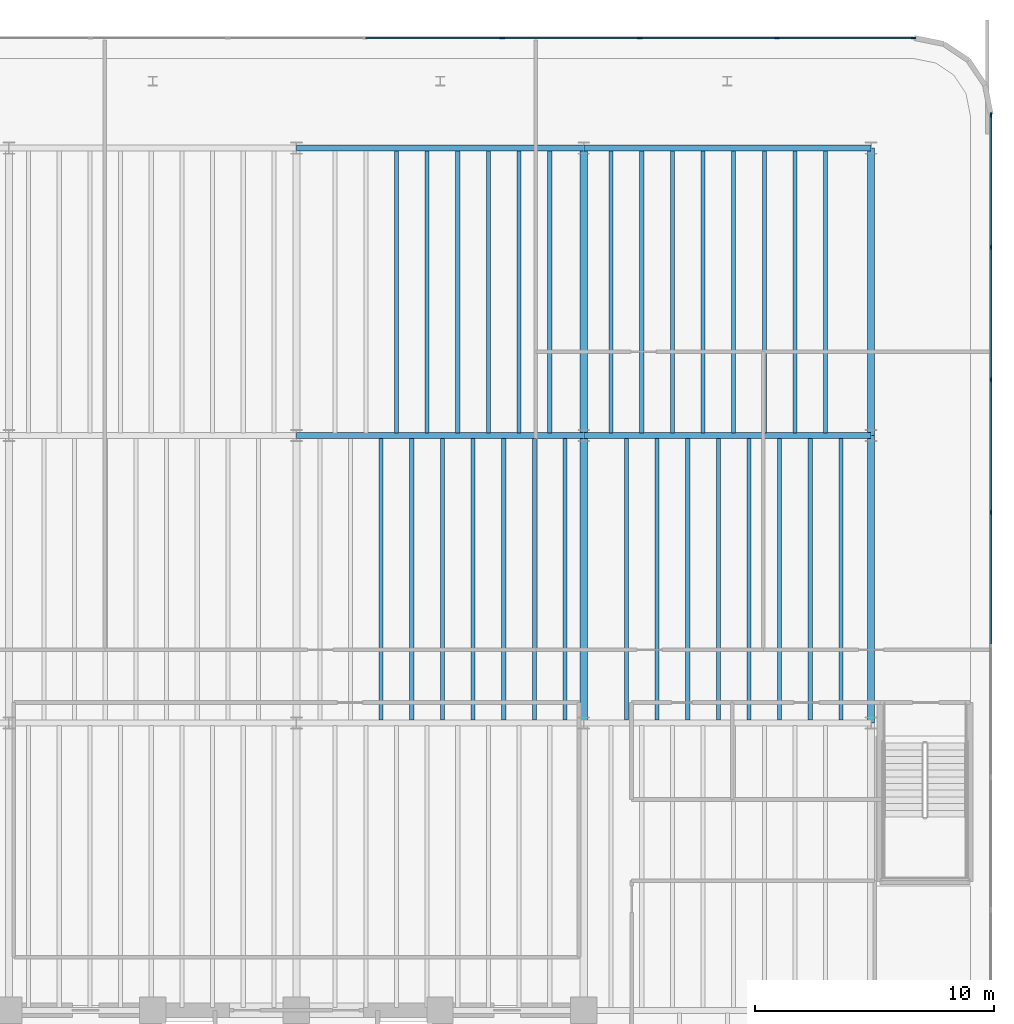
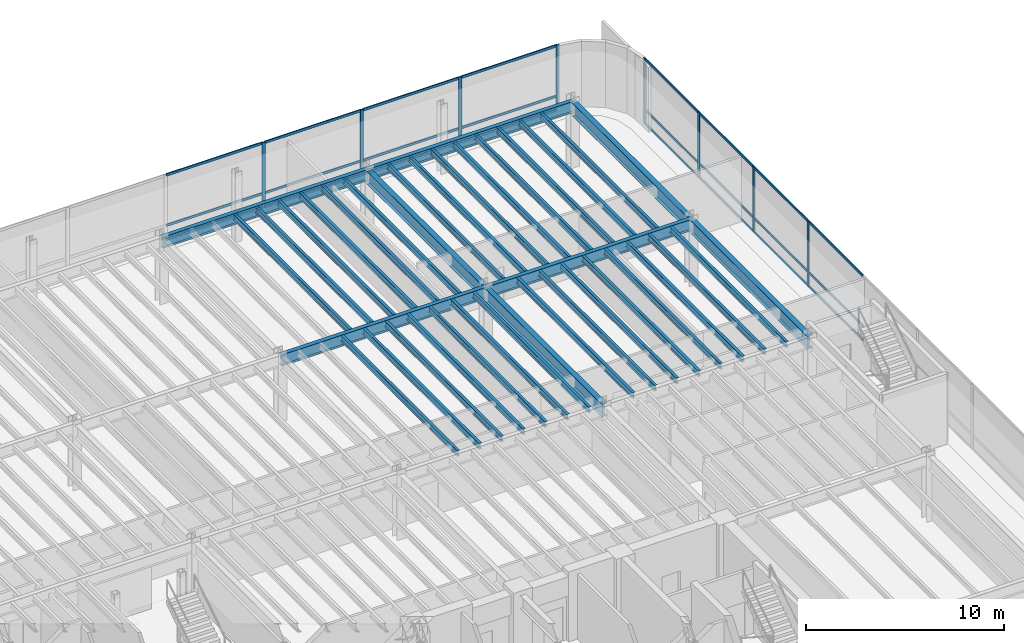
# One storey, part 10 of 19: 37 beams, 32 members, 2 elements without a shape of their own.
"""IFC4 building model written with IfcOpenShell, lengths in metres."""

from ifc_helpers import new_model, si_unit, direction, frame, origin, origin_2d, place, context, subcontext, project, spatial, rectangle, i_section, extrude, source, transform, mapped, material, layer, layer_set, material_profile, profile_set, type_object, element, aggregate, save


model = new_model("IFC4")

# Units and contexts
model_context = context("Model", 3, precision=1e-05, world=origin(), true_north=direction((0.0, 1.0)))
body_context = subcontext(model_context, "Body", "Model", "MODEL_VIEW")
ifc_project = project(units=[si_unit("LENGTHUNIT", "METRE"), si_unit("AREAUNIT", "SQUARE_METRE"), si_unit("VOLUMEUNIT", "CUBIC_METRE"), si_unit("PLANEANGLEUNIT", "RADIAN"), si_unit("MASSUNIT", "GRAM", prefix="KILO")], contexts=[model_context])

# Site, building, storey
site_placement = place(None, origin())
site = spatial("IfcSite", under=ifc_project, at=site_placement, CompositionType="ELEMENT")
building_placement = place(site_placement, origin())
building = spatial("IfcBuilding", under=site, at=building_placement, Name="Brelvock Crest Care Tower", CompositionType="ELEMENT")
storey_placement = place(building_placement, frame((0.0, 0.0, 14.0400390625)))
storey = spatial("IfcBuildingStorey", under=building, at=storey_placement, Name="L03", CompositionType="ELEMENT", Elevation=14.0400390625)

# Beams
ifc_material_1 = material(Name="Steel Grade 350", Category="steel")
ifc_material_profile_1 = material_profile(ifc_material_1, i_section(OverallWidth=0.300048828125, OverallDepth=0.800048828125, WebThickness=0.013916015625, FlangeThickness=0.02197265625, at=origin_2d()), Name="800WB192")
ifc_profile_set_1 = profile_set([ifc_material_profile_1], Name="Steel Grade 350")
beam_type_1 = type_object("IfcBeamType", Name="BM-G5", PredefinedType="BEAM", material=ifc_profile_set_1)
shared_shape_1 = source(origin(), body_context, "Body", "SweptSolid", [
    extrude(i_section(OverallWidth=0.300048828125, OverallDepth=0.800048828125, WebThickness=0.013916015625, FlangeThickness=0.02197265625, at=origin_2d()), origin(), (0.0, 0.0, 1.0), 12.0),
])
for number, where, z_axis, x_axis, name in (
    (1, (48.0, 30.0, 3.639892578125), (0.0, 1.0, 0.0), (-1.0, 0.0, 0.0), "BM-PODY-L03-48-30"),
    (2, (48.0, 42.0, 3.639892578125), (0.0, 1.0, 0.0), (-1.0, 0.0, 0.0), "BM-PODY-L03-48-42"),
    (3, (60.0, 30.0, 3.639892578125), (0.0, 1.0, 0.0), (-1.0, 0.0, 0.0), "BM-PODY-L03-60-30"),
    (4, (60.0, 42.0, 3.639892578125), (0.0, 1.0, 0.0), (-1.0, 0.0, 0.0), "BM-PODY-L03-60-42"),
):
    element("IfcBeam", number, at=place(storey_placement, frame(where, z_axis=z_axis, x_axis=x_axis)), inside=storey, type_object=beam_type_1, Name=name, PredefinedType="BEAM", context=body_context, shape_type="MappedRepresentation", body=[
        mapped(shared_shape_1, transform((0.0, 0.0, 0.0), x_axis=(1.0, 0.0, 0.0), y_axis=(0.0, 1.0, 0.0), z_axis=(0.0, 0.0, 1.0), scale=1.0)),
    ])
ifc_material_profile_2 = material_profile(ifc_material_1, i_section(OverallWidth=0.172119140625, OverallDepth=0.35888671875, WebThickness=0.008056640625, FlangeThickness=0.012939453125, FilletRadius=0.011474609375, at=origin_2d()), Name="360UB56.7")
ifc_profile_set_2 = profile_set([ifc_material_profile_2], Name="Steel Grade 350")
beam_type_2 = type_object("IfcBeamType", Name="BM-J1", PredefinedType="JOIST", material=ifc_profile_set_2)
shared_shape_2 = source(origin(), body_context, "Body", "SweptSolid", [
    extrude(i_section(OverallWidth=0.172119140625, OverallDepth=0.35888671875, WebThickness=0.008056640625, FlangeThickness=0.012939453125, FilletRadius=0.011474609375, at=origin_2d()), origin(), (0.0, 0.0, 1.0), 11.77001953125),
])
for number, where, z_axis, x_axis, name in (
    (5, (39.5400390625, 30.114990234375, 3.8603515625), (0.0, 1.0, 0.0), (-1.0, 0.0, 0.0), "BM-PODJ-L03-3954-30"),
    (6, (40.820068359375, 30.114990234375, 3.8603515625), (0.0, 1.0, 0.0), (-1.0, 0.0, 0.0), "BM-PODJ-L03-4082-30"),
    (7, (40.179931640625, 42.114990234375, 3.8603515625), (0.0, 1.0, 0.0), (-1.0, 0.0, 0.0), "BM-PODJ-L03-4018-42"),
    (8, (42.10009765625, 30.114990234375, 3.8603515625), (0.0, 1.0, 0.0), (-1.0, 0.0, 0.0), "BM-PODJ-L03-4210-30"),
    (9, (41.4599609375, 42.114990234375, 3.8603515625), (0.0, 1.0, 0.0), (-1.0, 0.0, 0.0), "BM-PODJ-L03-4146-42"),
    (10, (43.3798828125, 30.114990234375, 3.8603515625), (0.0, 1.0, 0.0), (-1.0, 0.0, 0.0), "BM-PODJ-L03-4338-30"),
    (11, (42.739990234375, 42.114990234375, 3.8603515625), (0.0, 1.0, 0.0), (-1.0, 0.0, 0.0), "BM-PODJ-L03-4274-42"),
    (12, (44.659912109375, 30.114990234375, 3.8603515625), (0.0, 1.0, 0.0), (-1.0, 0.0, 0.0), "BM-PODJ-L03-4466-30"),
    (13, (44.02001953125, 42.114990234375, 3.8603515625), (0.0, 1.0, 0.0), (-1.0, 0.0, 0.0), "BM-PODJ-L03-4402-42"),
    (14, (45.93994140625, 30.114990234375, 3.8603515625), (0.0, 1.0, 0.0), (-1.0, 0.0, 0.0), "BM-PODJ-L03-4594-30"),
    (15, (45.300048828125, 42.114990234375, 3.8603515625), (0.0, 1.0, 0.0), (-1.0, 0.0, 0.0), "BM-PODJ-L03-4530-42"),
    (16, (47.219970703125, 30.114990234375, 3.8603515625), (0.0, 1.0, 0.0), (-1.0, 0.0, 0.0), "BM-PODJ-L03-4722-30"),
    (17, (46.580078125, 42.114990234375, 3.8603515625), (0.0, 1.0, 0.0), (-1.0, 0.0, 0.0), "BM-PODJ-L03-4658-42"),
    (18, (49.780029296875, 30.114990234375, 3.8603515625), (0.0, 1.0, 0.0), (-1.0, 0.0, 0.0), "BM-PODJ-L03-4978-30"),
    (19, (49.139892578125, 42.114990234375, 3.8603515625), (0.0, 1.0, 0.0), (-1.0, 0.0, 0.0), "BM-PODJ-L03-4914-42"),
    (20, (51.06005859375, 30.114990234375, 3.8603515625), (0.0, 1.0, 0.0), (-1.0, 0.0, 0.0), "BM-PODJ-L03-5106-30"),
    (21, (50.419921875, 42.114990234375, 3.8603515625), (0.0, 1.0, 0.0), (-1.0, 0.0, 0.0), "BM-PODJ-L03-5042-42"),
    (22, (52.340087890625, 30.114990234375, 3.8603515625), (0.0, 1.0, 0.0), (-1.0, 0.0, 0.0), "BM-PODJ-L03-5234-30"),
    (23, (51.699951171875, 42.114990234375, 3.8603515625), (0.0, 1.0, 0.0), (-1.0, 0.0, 0.0), "BM-PODJ-L03-5170-42"),
    (24, (53.6201171875, 30.114990234375, 3.8603515625), (0.0, 1.0, 0.0), (-1.0, 0.0, 0.0), "BM-PODJ-L03-5362-30"),
    (25, (52.97998046875, 42.114990234375, 3.8603515625), (0.0, 1.0, 0.0), (-1.0, 0.0, 0.0), "BM-PODJ-L03-5298-42"),
    (26, (54.89990234375, 30.114990234375, 3.8603515625), (0.0, 1.0, 0.0), (-1.0, 0.0, 0.0), "BM-PODJ-L03-5490-30"),
    (27, (54.260009765625, 42.114990234375, 3.8603515625), (0.0, 1.0, 0.0), (-1.0, 0.0, 0.0), "BM-PODJ-L03-5426-42"),
    (28, (56.179931640625, 30.114990234375, 3.8603515625), (0.0, 1.0, 0.0), (-1.0, 0.0, 0.0), "BM-PODJ-L03-5618-30"),
    (29, (55.5400390625, 42.114990234375, 3.8603515625), (0.0, 1.0, 0.0), (-1.0, 0.0, 0.0), "BM-PODJ-L03-5554-42"),
    (30, (57.4599609375, 30.114990234375, 3.8603515625), (0.0, 1.0, 0.0), (-1.0, 0.0, 0.0), "BM-PODJ-L03-5746-30"),
    (31, (56.820068359375, 42.114990234375, 3.8603515625), (0.0, 1.0, 0.0), (-1.0, 0.0, 0.0), "BM-PODJ-L03-5682-42"),
    (32, (58.739990234375, 30.114990234375, 3.8603515625), (0.0, 1.0, 0.0), (-1.0, 0.0, 0.0), "BM-PODJ-L03-5874-30"),
    (33, (58.10009765625, 42.114990234375, 3.8603515625), (0.0, 1.0, 0.0), (-1.0, 0.0, 0.0), "BM-PODJ-L03-5810-42"),
):
    element("IfcBeam", number, at=place(storey_placement, frame(where, z_axis=z_axis, x_axis=x_axis)), inside=storey, type_object=beam_type_2, Name=name, PredefinedType="JOIST", context=body_context, shape_type="MappedRepresentation", body=[
        mapped(shared_shape_2, transform((0.0, 0.0, 0.0), x_axis=(1.0, 0.0, 0.0), y_axis=(0.0, 1.0, 0.0), z_axis=(0.0, 0.0, 1.0), scale=1.0)),
    ])
ifc_material_profile_3 = material_profile(ifc_material_1, i_section(OverallWidth=0.25, OverallDepth=0.699951171875, WebThickness=0.011962890625, FlangeThickness=0.02001953125, at=origin_2d()), Name="700WB150")
ifc_profile_set_3 = profile_set([ifc_material_profile_3], Name="Steel Grade 350")
beam_type_3 = type_object("IfcBeamType", Name="BM-G4", PredefinedType="BEAM", material=ifc_profile_set_3)
shared_shape_3 = source(origin(), body_context, "Body", "SweptSolid", [
    extrude(i_section(OverallWidth=0.25, OverallDepth=0.699951171875, WebThickness=0.011962890625, FlangeThickness=0.02001953125, at=origin_2d()), origin(), (0.0, 0.0, 1.0), 12.0),
])
for number, where, z_axis, x_axis, name in (
    (34, (36.0, 42.0, 3.68994140625), (1.0, 0.0, 0.0), (0.0, 1.0, 0.0), "BM-PODX-L03-42-36"),
    (35, (48.0, 42.0, 3.68994140625), (1.0, 0.0, 0.0), (0.0, 1.0, 0.0), "BM-PODX-L03-42-48"),
    (36, (36.0, 54.0, 3.68994140625), (1.0, 0.0, 0.0), (0.0, 1.0, 0.0), "BM-PODX-L03-54-36"),
    (37, (48.0, 54.0, 3.68994140625), (1.0, 0.0, 0.0), (0.0, 1.0, 0.0), "BM-PODX-L03-54-48"),
):
    element("IfcBeam", number, at=place(storey_placement, frame(where, z_axis=z_axis, x_axis=x_axis)), inside=storey, type_object=beam_type_3, Name=name, PredefinedType="BEAM", context=body_context, shape_type="MappedRepresentation", body=[
        mapped(shared_shape_3, transform((0.0, 0.0, 0.0), x_axis=(1.0, 0.0, 0.0), y_axis=(0.0, 1.0, 0.0), z_axis=(0.0, 0.0, 1.0), scale=1.0)),
    ])

# Curtain wall, members
ifc_material_2 = material(Name="Dark Glass Double Glazed Low-E", Category="glass")
ifc_layer = layer(ifc_material_2, 0.179931640625, Name="CWS-1")
ifc_layer_set = layer_set([ifc_layer], Name="Dark Glass Double Glazed Low-E")
curtain_wall_type = type_object("IfcCurtainWallType", Name="CWS-1", PredefinedType="NOTDEFINED", material=ifc_layer_set)
curtain_wall_1_placement = place(storey_placement, origin())
curtain_wall_1 = element("IfcCurtainWall", 38, at=curtain_wall_1_placement, inside=storey, type_object=curtain_wall_type, Name="L03 Curtain Wall E09", PredefinedType="NOTDEFINED")
ifc_material_3 = material(Name="Aluminium 6063-T6", Category="aluminium")
ifc_material_profile_4 = material_profile(ifc_material_3, rectangle(XDim=0.06494140625, YDim=0.199951171875, at=origin_2d()), Name="ALU65x200")
ifc_profile_set_4 = profile_set([ifc_material_profile_4], Name="Aluminium 6063-T6")
member_type_1 = type_object("IfcMemberType", Name="CWM-1", PredefinedType="MULLION", material=ifc_profile_set_4)
shared_shape_4 = source(origin(), body_context, "Body", "SweptSolid", [
    extrude(rectangle(XDim=0.06494140625, YDim=0.199951171875, at=origin_2d()), origin(), (0.0, 0.0, 1.0), 4.0400390625),
])
member_1_placement = place(storey_placement, frame((44.60009765625, 58.60009765625, 0.0), z_axis=(0.0, 0.0, 1.0), x_axis=(0.0, 1.0, 0.0)))
member_1 = element("IfcMember", 39, at=member_1_placement, type_object=member_type_1, Name="CW-1 mullion 7", PredefinedType="MULLION", context=body_context, shape_type="MappedRepresentation", body=[
    mapped(shared_shape_4, transform((0.0, 0.0, 0.0), x_axis=(1.0, 0.0, 0.0), y_axis=(0.0, 1.0, 0.0), z_axis=(0.0, 0.0, 1.0), scale=1.0)),
])
member_2_placement = place(storey_placement, frame((50.333251953125, 58.60009765625, 0.0), z_axis=(0.0, 0.0, 1.0), x_axis=(0.0, 1.0, 0.0)))
member_2 = element("IfcMember", 40, at=member_2_placement, type_object=member_type_1, Name="CW-1 mullion 8", PredefinedType="MULLION", context=body_context, shape_type="MappedRepresentation", body=[
    mapped(shared_shape_4, transform((0.0, 0.0, 0.0), x_axis=(1.0, 0.0, 0.0), y_axis=(0.0, 1.0, 0.0), z_axis=(0.0, 0.0, 1.0), scale=1.0)),
])
member_3_placement = place(storey_placement, frame((56.066650390625, 58.60009765625, 0.0), z_axis=(0.0, 0.0, 1.0), x_axis=(0.0, 1.0, 0.0)))
member_3 = element("IfcMember", 41, at=member_3_placement, type_object=member_type_1, Name="CW-1 mullion 9", PredefinedType="MULLION", context=body_context, shape_type="MappedRepresentation", body=[
    mapped(shared_shape_4, transform((0.0, 0.0, 0.0), x_axis=(1.0, 0.0, 0.0), y_axis=(0.0, 1.0, 0.0), z_axis=(0.0, 0.0, 1.0), scale=1.0)),
])
member_4_placement = place(storey_placement, frame((61.767578125, 58.60009765625, 0.0), z_axis=(0.0, 0.0, 1.0), x_axis=(0.0, 1.0, 0.0)))
member_4 = element("IfcMember", 42, at=member_4_placement, type_object=member_type_1, Name="CW-1 mullion 10", PredefinedType="MULLION", context=body_context, shape_type="MappedRepresentation", body=[
    mapped(shared_shape_4, transform((0.0, 0.0, 0.0), x_axis=(1.0, 0.0, 0.0), y_axis=(0.0, 1.0, 0.0), z_axis=(0.0, 0.0, 1.0), scale=1.0)),
])

curtain_wall_2_placement = place(storey_placement, origin())
curtain_wall_2 = element("IfcCurtainWall", 43, at=curtain_wall_2_placement, inside=storey, type_object=curtain_wall_type, Name="L03 Curtain Wall E14", PredefinedType="NOTDEFINED")
member_5_placement = place(storey_placement, frame((65.0, 55.367431640625, 0.0), z_axis=(0.0, 0.0, 1.0), x_axis=(1.0, 0.0, 0.0)))
member_5 = element("IfcMember", 44, at=member_5_placement, type_object=member_type_1, Name="CW-1 mullion 1", PredefinedType="MULLION", context=body_context, shape_type="MappedRepresentation", body=[
    mapped(shared_shape_4, transform((0.0, 0.0, 0.0), x_axis=(1.0, 0.0, 0.0), y_axis=(0.0, 1.0, 0.0), z_axis=(0.0, 0.0, 1.0), scale=1.0)),
])
member_6_placement = place(storey_placement, frame((65.0, 49.86669921875, 0.0), z_axis=(0.0, 0.0, 1.0), x_axis=(1.0, 0.0, 0.0)))
member_6 = element("IfcMember", 45, at=member_6_placement, type_object=member_type_1, Name="CW-1 mullion 2", PredefinedType="MULLION", context=body_context, shape_type="MappedRepresentation", body=[
    mapped(shared_shape_4, transform((0.0, 0.0, 0.0), x_axis=(1.0, 0.0, 0.0), y_axis=(0.0, 1.0, 0.0), z_axis=(0.0, 0.0, 1.0), scale=1.0)),
])
member_7_placement = place(storey_placement, frame((65.0, 44.333251953125, 0.0), z_axis=(0.0, 0.0, 1.0), x_axis=(1.0, 0.0, 0.0)))
member_7 = element("IfcMember", 46, at=member_7_placement, type_object=member_type_1, Name="CW-1 mullion 3", PredefinedType="MULLION", context=body_context, shape_type="MappedRepresentation", body=[
    mapped(shared_shape_4, transform((0.0, 0.0, 0.0), x_axis=(1.0, 0.0, 0.0), y_axis=(0.0, 1.0, 0.0), z_axis=(0.0, 0.0, 1.0), scale=1.0)),
])
member_8_placement = place(storey_placement, frame((65.0, 38.800048828125, 0.0), z_axis=(0.0, 0.0, 1.0), x_axis=(1.0, 0.0, 0.0)))
member_8 = element("IfcMember", 47, at=member_8_placement, type_object=member_type_1, Name="CW-1 mullion 4", PredefinedType="MULLION", context=body_context, shape_type="MappedRepresentation", body=[
    mapped(shared_shape_4, transform((0.0, 0.0, 0.0), x_axis=(1.0, 0.0, 0.0), y_axis=(0.0, 1.0, 0.0), z_axis=(0.0, 0.0, 1.0), scale=1.0)),
])
ifc_material_profile_5 = material_profile(ifc_material_3, rectangle(XDim=0.06494140625, YDim=0.14990234375, at=origin_2d()), Name="ALU65x150")
ifc_profile_set_5 = profile_set([ifc_material_profile_5], Name="Aluminium 6063-T6")
member_type_2 = type_object("IfcMemberType", Name="CWT-1", PredefinedType="USERDEFINED", material=ifc_profile_set_5)
shared_shape_5 = source(origin(), body_context, "Body", "SweptSolid", [
    extrude(rectangle(XDim=0.06494140625, YDim=0.14990234375, at=origin_2d()), origin(), (0.0, 0.0, 1.0), 5.435791015625),
])
member_9_placement = place(storey_placement, frame((65.0, 55.3349609375, 0.032470703125), z_axis=(0.0, -1.0, 0.0), x_axis=(1.0, 0.0, 0.0)))
member_9 = element("IfcMember", 48, at=member_9_placement, type_object=member_type_2, Name="CW-1 transom 1.1", ObjectType="TRANSOM", PredefinedType="USERDEFINED", context=body_context, shape_type="MappedRepresentation", body=[
    mapped(shared_shape_5, transform((0.0, 0.0, 0.0), x_axis=(1.0, 0.0, 0.0), y_axis=(0.0, 1.0, 0.0), z_axis=(0.0, 0.0, 1.0), scale=1.0)),
])
member_10_placement = place(storey_placement, frame((65.0, 55.3349609375, 0.89990234375), z_axis=(0.0, -1.0, 0.0), x_axis=(1.0, 0.0, 0.0)))
member_10 = element("IfcMember", 49, at=member_10_placement, type_object=member_type_2, Name="CW-1 transom 1.2", ObjectType="TRANSOM", PredefinedType="USERDEFINED", context=body_context, shape_type="MappedRepresentation", body=[
    mapped(shared_shape_5, transform((0.0, 0.0, 0.0), x_axis=(1.0, 0.0, 0.0), y_axis=(0.0, 1.0, 0.0), z_axis=(0.0, 0.0, 1.0), scale=1.0)),
])
member_11_placement = place(storey_placement, frame((65.0, 55.3349609375, 4.007568359375), z_axis=(0.0, -1.0, 0.0), x_axis=(1.0, 0.0, 0.0)))
member_11 = element("IfcMember", 50, at=member_11_placement, type_object=member_type_2, Name="CW-1 transom 1.3", ObjectType="TRANSOM", PredefinedType="USERDEFINED", context=body_context, shape_type="MappedRepresentation", body=[
    mapped(shared_shape_5, transform((0.0, 0.0, 0.0), x_axis=(1.0, 0.0, 0.0), y_axis=(0.0, 1.0, 0.0), z_axis=(0.0, 0.0, 1.0), scale=1.0)),
])
shared_shape_6 = source(origin(), body_context, "Body", "SweptSolid", [
    extrude(rectangle(XDim=0.06494140625, YDim=0.14990234375, at=origin_2d()), origin(), (0.0, 0.0, 1.0), 5.468505859375),
])
member_12_placement = place(storey_placement, frame((65.0, 49.834228515625, 0.032470703125), z_axis=(0.0, -1.0, 0.0), x_axis=(1.0, 0.0, 0.0)))
member_12 = element("IfcMember", 51, at=member_12_placement, type_object=member_type_2, Name="CW-1 transom 2.1", ObjectType="TRANSOM", PredefinedType="USERDEFINED", context=body_context, shape_type="MappedRepresentation", body=[
    mapped(shared_shape_6, transform((0.0, 0.0, 0.0), x_axis=(1.0, 0.0, 0.0), y_axis=(0.0, 1.0, 0.0), z_axis=(0.0, 0.0, 1.0), scale=1.0)),
])
member_13_placement = place(storey_placement, frame((65.0, 49.834228515625, 0.89990234375), z_axis=(0.0, -1.0, 0.0), x_axis=(1.0, 0.0, 0.0)))
member_13 = element("IfcMember", 52, at=member_13_placement, type_object=member_type_2, Name="CW-1 transom 2.2", ObjectType="TRANSOM", PredefinedType="USERDEFINED", context=body_context, shape_type="MappedRepresentation", body=[
    mapped(shared_shape_6, transform((0.0, 0.0, 0.0), x_axis=(1.0, 0.0, 0.0), y_axis=(0.0, 1.0, 0.0), z_axis=(0.0, 0.0, 1.0), scale=1.0)),
])
member_14_placement = place(storey_placement, frame((65.0, 49.834228515625, 4.007568359375), z_axis=(0.0, -1.0, 0.0), x_axis=(1.0, 0.0, 0.0)))
member_14 = element("IfcMember", 53, at=member_14_placement, type_object=member_type_2, Name="CW-1 transom 2.3", ObjectType="TRANSOM", PredefinedType="USERDEFINED", context=body_context, shape_type="MappedRepresentation", body=[
    mapped(shared_shape_6, transform((0.0, 0.0, 0.0), x_axis=(1.0, 0.0, 0.0), y_axis=(0.0, 1.0, 0.0), z_axis=(0.0, 0.0, 1.0), scale=1.0)),
])
member_15_placement = place(storey_placement, frame((65.0, 38.767578125, 0.032470703125), z_axis=(0.0, -1.0, 0.0), x_axis=(1.0, 0.0, 0.0)))
member_15 = element("IfcMember", 54, at=member_15_placement, type_object=member_type_2, Name="CW-1 transom 4.1", ObjectType="TRANSOM", PredefinedType="USERDEFINED", context=body_context, shape_type="MappedRepresentation", body=[
    mapped(shared_shape_6, transform((0.0, 0.0, 0.0), x_axis=(1.0, 0.0, 0.0), y_axis=(0.0, 1.0, 0.0), z_axis=(0.0, 0.0, 1.0), scale=1.0)),
])
member_16_placement = place(storey_placement, frame((65.0, 38.767578125, 0.89990234375), z_axis=(0.0, -1.0, 0.0), x_axis=(1.0, 0.0, 0.0)))
member_16 = element("IfcMember", 55, at=member_16_placement, type_object=member_type_2, Name="CW-1 transom 4.2", ObjectType="TRANSOM", PredefinedType="USERDEFINED", context=body_context, shape_type="MappedRepresentation", body=[
    mapped(shared_shape_6, transform((0.0, 0.0, 0.0), x_axis=(1.0, 0.0, 0.0), y_axis=(0.0, 1.0, 0.0), z_axis=(0.0, 0.0, 1.0), scale=1.0)),
])
member_17_placement = place(storey_placement, frame((65.0, 38.767578125, 4.007568359375), z_axis=(0.0, -1.0, 0.0), x_axis=(1.0, 0.0, 0.0)))
member_17 = element("IfcMember", 56, at=member_17_placement, type_object=member_type_2, Name="CW-1 transom 4.3", ObjectType="TRANSOM", PredefinedType="USERDEFINED", context=body_context, shape_type="MappedRepresentation", body=[
    mapped(shared_shape_6, transform((0.0, 0.0, 0.0), x_axis=(1.0, 0.0, 0.0), y_axis=(0.0, 1.0, 0.0), z_axis=(0.0, 0.0, 1.0), scale=1.0)),
])
shared_shape_7 = source(origin(), body_context, "Body", "SweptSolid", [
    extrude(rectangle(XDim=0.06494140625, YDim=0.14990234375, at=origin_2d()), origin(), (0.0, 0.0, 1.0), 5.46826171875),
])
member_18_placement = place(storey_placement, frame((65.0, 44.30078125, 0.032470703125), z_axis=(0.0, -1.0, 0.0), x_axis=(1.0, 0.0, 0.0)))
member_18 = element("IfcMember", 57, at=member_18_placement, type_object=member_type_2, Name="CW-1 transom 3.1", ObjectType="TRANSOM", PredefinedType="USERDEFINED", context=body_context, shape_type="MappedRepresentation", body=[
    mapped(shared_shape_7, transform((0.0, 0.0, 0.0), x_axis=(1.0, 0.0, 0.0), y_axis=(0.0, 1.0, 0.0), z_axis=(0.0, 0.0, 1.0), scale=1.0)),
])
member_19_placement = place(storey_placement, frame((65.0, 44.30078125, 0.89990234375), z_axis=(0.0, -1.0, 0.0), x_axis=(1.0, 0.0, 0.0)))
member_19 = element("IfcMember", 58, at=member_19_placement, type_object=member_type_2, Name="CW-1 transom 3.2", ObjectType="TRANSOM", PredefinedType="USERDEFINED", context=body_context, shape_type="MappedRepresentation", body=[
    mapped(shared_shape_7, transform((0.0, 0.0, 0.0), x_axis=(1.0, 0.0, 0.0), y_axis=(0.0, 1.0, 0.0), z_axis=(0.0, 0.0, 1.0), scale=1.0)),
])
member_20_placement = place(storey_placement, frame((65.0, 44.30078125, 4.007568359375), z_axis=(0.0, -1.0, 0.0), x_axis=(1.0, 0.0, 0.0)))
member_20 = element("IfcMember", 59, at=member_20_placement, type_object=member_type_2, Name="CW-1 transom 3.3", ObjectType="TRANSOM", PredefinedType="USERDEFINED", context=body_context, shape_type="MappedRepresentation", body=[
    mapped(shared_shape_7, transform((0.0, 0.0, 0.0), x_axis=(1.0, 0.0, 0.0), y_axis=(0.0, 1.0, 0.0), z_axis=(0.0, 0.0, 1.0), scale=1.0)),
])
aggregate(curtain_wall_2, [member_5, member_6, member_7, member_8, member_9, member_10, member_11, member_12, member_13, member_14, member_18, member_19, member_20, member_15, member_16, member_17])

# Member
shared_shape_8 = source(origin(), body_context, "Body", "SweptSolid", [
    extrude(rectangle(XDim=0.06494140625, YDim=0.14990234375, at=origin_2d()), origin(), (0.0, 0.0, 1.0), 5.635986328125),
])
member_21_placement = place(storey_placement, frame((56.09912109375, 58.60009765625, 0.032470703125), z_axis=(1.0, 0.0, 0.0), x_axis=(0.0, 1.0, 0.0)))
member_21 = element("IfcMember", 60, at=member_21_placement, type_object=member_type_2, Name="CW-1 transom 9.1", ObjectType="TRANSOM", PredefinedType="USERDEFINED", context=body_context, shape_type="MappedRepresentation", body=[
    mapped(shared_shape_8, transform((0.0, 0.0, 0.0), x_axis=(1.0, 0.0, 0.0), y_axis=(0.0, 1.0, 0.0), z_axis=(0.0, 0.0, 1.0), scale=1.0)),
])

member_22_placement = place(storey_placement, frame((56.09912109375, 58.60009765625, 0.89990234375), z_axis=(1.0, 0.0, 0.0), x_axis=(0.0, 1.0, 0.0)))
member_22 = element("IfcMember", 61, at=member_22_placement, type_object=member_type_2, Name="CW-1 transom 9.2", ObjectType="TRANSOM", PredefinedType="USERDEFINED", context=body_context, shape_type="MappedRepresentation", body=[
    mapped(shared_shape_8, transform((0.0, 0.0, 0.0), x_axis=(1.0, 0.0, 0.0), y_axis=(0.0, 1.0, 0.0), z_axis=(0.0, 0.0, 1.0), scale=1.0)),
])

member_23_placement = place(storey_placement, frame((56.09912109375, 58.60009765625, 4.007568359375), z_axis=(1.0, 0.0, 0.0), x_axis=(0.0, 1.0, 0.0)))
member_23 = element("IfcMember", 62, at=member_23_placement, type_object=member_type_2, Name="CW-1 transom 9.3", ObjectType="TRANSOM", PredefinedType="USERDEFINED", context=body_context, shape_type="MappedRepresentation", body=[
    mapped(shared_shape_8, transform((0.0, 0.0, 0.0), x_axis=(1.0, 0.0, 0.0), y_axis=(0.0, 1.0, 0.0), z_axis=(0.0, 0.0, 1.0), scale=1.0)),
])

shared_shape_9 = source(origin(), body_context, "Body", "SweptSolid", [
    extrude(rectangle(XDim=0.06494140625, YDim=0.14990234375, at=origin_2d()), origin(), (0.0, 0.0, 1.0), 5.66845703125),
])
member_24_placement = place(storey_placement, frame((50.36572265625, 58.60009765625, 0.032470703125), z_axis=(1.0, 0.0, 0.0), x_axis=(0.0, 1.0, 0.0)))
member_24 = element("IfcMember", 63, at=member_24_placement, type_object=member_type_2, Name="CW-1 transom 8.1", ObjectType="TRANSOM", PredefinedType="USERDEFINED", context=body_context, shape_type="MappedRepresentation", body=[
    mapped(shared_shape_9, transform((0.0, 0.0, 0.0), x_axis=(1.0, 0.0, 0.0), y_axis=(0.0, 1.0, 0.0), z_axis=(0.0, 0.0, 1.0), scale=1.0)),
])

member_25_placement = place(storey_placement, frame((50.36572265625, 58.60009765625, 0.89990234375), z_axis=(1.0, 0.0, 0.0), x_axis=(0.0, 1.0, 0.0)))
member_25 = element("IfcMember", 64, at=member_25_placement, type_object=member_type_2, Name="CW-1 transom 8.2", ObjectType="TRANSOM", PredefinedType="USERDEFINED", context=body_context, shape_type="MappedRepresentation", body=[
    mapped(shared_shape_9, transform((0.0, 0.0, 0.0), x_axis=(1.0, 0.0, 0.0), y_axis=(0.0, 1.0, 0.0), z_axis=(0.0, 0.0, 1.0), scale=1.0)),
])

member_26_placement = place(storey_placement, frame((50.36572265625, 58.60009765625, 4.007568359375), z_axis=(1.0, 0.0, 0.0), x_axis=(0.0, 1.0, 0.0)))
member_26 = element("IfcMember", 65, at=member_26_placement, type_object=member_type_2, Name="CW-1 transom 8.3", ObjectType="TRANSOM", PredefinedType="USERDEFINED", context=body_context, shape_type="MappedRepresentation", body=[
    mapped(shared_shape_9, transform((0.0, 0.0, 0.0), x_axis=(1.0, 0.0, 0.0), y_axis=(0.0, 1.0, 0.0), z_axis=(0.0, 0.0, 1.0), scale=1.0)),
])

shared_shape_10 = source(origin(), body_context, "Body", "SweptSolid", [
    extrude(rectangle(XDim=0.06494140625, YDim=0.14990234375, at=origin_2d()), origin(), (0.0, 0.0, 1.0), 5.668212890625),
])
member_27_placement = place(storey_placement, frame((38.899169921875, 58.60009765625, 0.032470703125), z_axis=(1.0, 0.0, 0.0), x_axis=(0.0, 1.0, 0.0)))
member_27 = element("IfcMember", 66, at=member_27_placement, type_object=member_type_2, Name="CW-1 transom 6.1", ObjectType="TRANSOM", PredefinedType="USERDEFINED", context=body_context, shape_type="MappedRepresentation", body=[
    mapped(shared_shape_10, transform((0.0, 0.0, 0.0), x_axis=(1.0, 0.0, 0.0), y_axis=(0.0, 1.0, 0.0), z_axis=(0.0, 0.0, 1.0), scale=1.0)),
])

member_28_placement = place(storey_placement, frame((38.899169921875, 58.60009765625, 0.89990234375), z_axis=(1.0, 0.0, 0.0), x_axis=(0.0, 1.0, 0.0)))
member_28 = element("IfcMember", 67, at=member_28_placement, type_object=member_type_2, Name="CW-1 transom 6.2", ObjectType="TRANSOM", PredefinedType="USERDEFINED", context=body_context, shape_type="MappedRepresentation", body=[
    mapped(shared_shape_10, transform((0.0, 0.0, 0.0), x_axis=(1.0, 0.0, 0.0), y_axis=(0.0, 1.0, 0.0), z_axis=(0.0, 0.0, 1.0), scale=1.0)),
])

member_29_placement = place(storey_placement, frame((38.899169921875, 58.60009765625, 4.007568359375), z_axis=(1.0, 0.0, 0.0), x_axis=(0.0, 1.0, 0.0)))
member_29 = element("IfcMember", 68, at=member_29_placement, type_object=member_type_2, Name="CW-1 transom 6.3", ObjectType="TRANSOM", PredefinedType="USERDEFINED", context=body_context, shape_type="MappedRepresentation", body=[
    mapped(shared_shape_10, transform((0.0, 0.0, 0.0), x_axis=(1.0, 0.0, 0.0), y_axis=(0.0, 1.0, 0.0), z_axis=(0.0, 0.0, 1.0), scale=1.0)),
])

member_30_placement = place(storey_placement, frame((44.632568359375, 58.60009765625, 0.032470703125), z_axis=(1.0, 0.0, 0.0), x_axis=(0.0, 1.0, 0.0)))
member_30 = element("IfcMember", 69, at=member_30_placement, type_object=member_type_2, Name="CW-1 transom 7.1", ObjectType="TRANSOM", PredefinedType="USERDEFINED", context=body_context, shape_type="MappedRepresentation", body=[
    mapped(shared_shape_10, transform((0.0, 0.0, 0.0), x_axis=(1.0, 0.0, 0.0), y_axis=(0.0, 1.0, 0.0), z_axis=(0.0, 0.0, 1.0), scale=1.0)),
])

member_31_placement = place(storey_placement, frame((44.632568359375, 58.60009765625, 0.89990234375), z_axis=(1.0, 0.0, 0.0), x_axis=(0.0, 1.0, 0.0)))
member_31 = element("IfcMember", 70, at=member_31_placement, type_object=member_type_2, Name="CW-1 transom 7.2", ObjectType="TRANSOM", PredefinedType="USERDEFINED", context=body_context, shape_type="MappedRepresentation", body=[
    mapped(shared_shape_10, transform((0.0, 0.0, 0.0), x_axis=(1.0, 0.0, 0.0), y_axis=(0.0, 1.0, 0.0), z_axis=(0.0, 0.0, 1.0), scale=1.0)),
])

member_32_placement = place(storey_placement, frame((44.632568359375, 58.60009765625, 4.007568359375), z_axis=(1.0, 0.0, 0.0), x_axis=(0.0, 1.0, 0.0)))
member_32 = element("IfcMember", 71, at=member_32_placement, type_object=member_type_2, Name="CW-1 transom 7.3", ObjectType="TRANSOM", PredefinedType="USERDEFINED", context=body_context, shape_type="MappedRepresentation", body=[
    mapped(shared_shape_10, transform((0.0, 0.0, 0.0), x_axis=(1.0, 0.0, 0.0), y_axis=(0.0, 1.0, 0.0), z_axis=(0.0, 0.0, 1.0), scale=1.0)),
])

aggregate(curtain_wall_1, [member_1, member_2, member_3, member_4, member_27, member_28, member_29, member_30, member_31, member_32, member_24, member_25, member_26, member_21, member_22, member_23])

save(model, "model.ifc")
